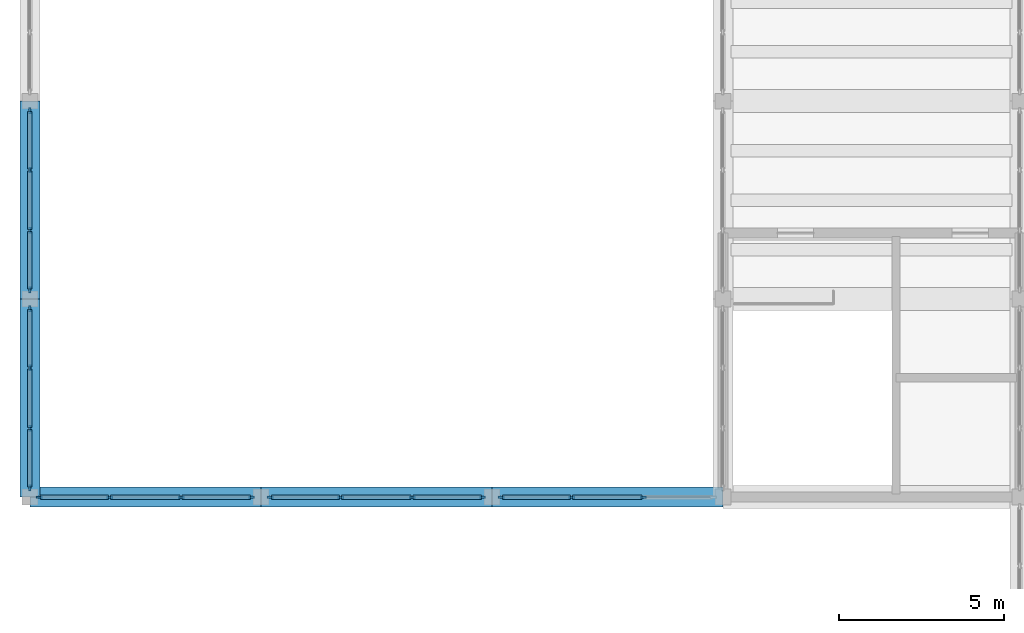
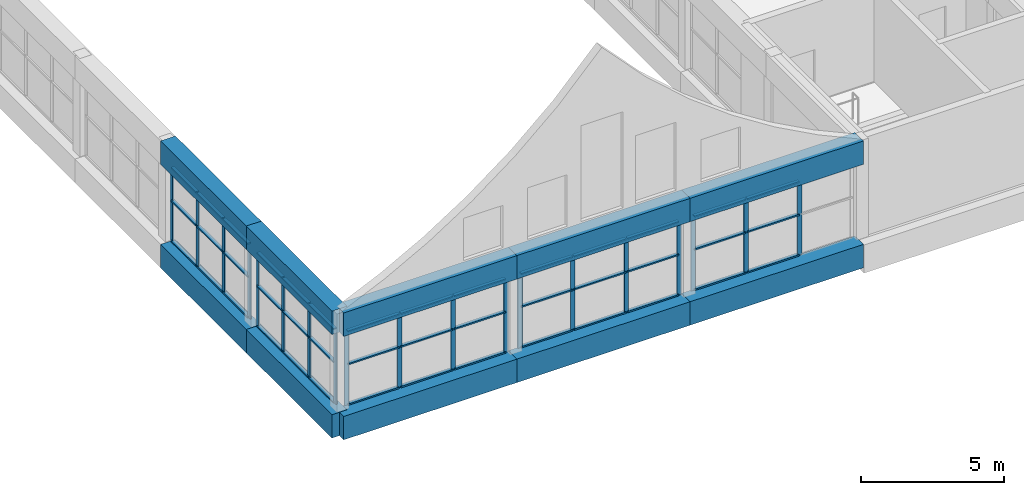
# One storey, part 8 of 70: 61 members, 10 beams, 5 elements without a shape of their own.
"""IFC4 building model written with IfcOpenShell, lengths in metres."""

from ifc_helpers import new_model, si_unit, direction, frame, origin, origin_2d, place, context, subcontext, project, spatial, rectangle, extrude, material, layer, layer_set, material_profile, profile_set, type_object, element, aggregate, save


model = new_model("IFC4")

# Units and contexts
model_context = context("Model", 3, precision=1e-05, world=origin(), true_north=direction((0.0, 1.0)))
body_context = subcontext(model_context, "Body", "Model", "MODEL_VIEW")
ifc_project = project(units=[si_unit("LENGTHUNIT", "METRE"), si_unit("AREAUNIT", "SQUARE_METRE"), si_unit("VOLUMEUNIT", "CUBIC_METRE"), si_unit("PLANEANGLEUNIT", "RADIAN"), si_unit("MASSUNIT", "GRAM", prefix="KILO")], contexts=[model_context])

# Site, building, storey
site_placement = place(None, origin())
site = spatial("IfcSite", under=ifc_project, at=site_placement, CompositionType="ELEMENT")
building_placement = place(site_placement, origin())
building = spatial("IfcBuilding", under=site, at=building_placement, Name="Solvane Community Centre", CompositionType="ELEMENT")
storey_placement = place(building_placement, frame((0.0, 0.0, 9.60009765625)))
storey = spatial("IfcBuildingStorey", under=building, at=storey_placement, Name="L02", CompositionType="ELEMENT", Elevation=9.60009765625)

# Curtain wall, members
ifc_material_1 = material(Name="Anodised bronze aluminium AW-6063 T6", Category="aluminium")
ifc_layer_1 = layer(ifc_material_1, 0.179931640625)
ifc_layer_set_1 = layer_set([ifc_layer_1], Name="Anodised bronze aluminium AW-6063 T6")
curtain_wall_type_1 = type_object("IfcCurtainWallType", Name="Hall Translucent Upper Curtain Wall [55x32dm]", PredefinedType="NOTDEFINED", material=ifc_layer_set_1)
curtain_wall_1_placement = place(storey_placement, origin())
curtain_wall_1 = element("IfcCurtainWall", 1, at=curtain_wall_1_placement, inside=storey, type_object=curtain_wall_type_1, Name="Curtain Wall CW-L02-60_537-170", PredefinedType="NOTDEFINED")
ifc_material_profile_1 = material_profile(ifc_material_1, rectangle(XDim=0.06005859375, YDim=0.179931640625, at=origin_2d()), Name="CW-M 60x180")
ifc_profile_set_1 = profile_set([ifc_material_profile_1], Name="Anodised bronze aluminium AW-6063 T6")
member_type_1 = type_object("IfcMemberType", Name="Hall Mullion 60x180", PredefinedType="MULLION", material=ifc_profile_set_1)
member_1_placement = place(storey_placement, frame((6.0, 53.715087890625, 0.0), z_axis=(0.0, 0.0, 1.0), x_axis=(1.0, 0.0, 0.0)))
member_1 = element("IfcMember", 2, at=member_1_placement, type_object=member_type_1, Name="CW01-55x32 mullion 1", PredefinedType="MULLION", context=body_context, shape_type="SweptSolid", body=[
    extrude(rectangle(XDim=0.06005859375, YDim=0.179931640625, at=origin_2d()), origin(), (0.0, 0.0, 1.0), 3.184814453125),
])
member_2_placement = place(storey_placement, frame((6.0, 51.9150390625, 0.0), z_axis=(0.0, 0.0, 1.0), x_axis=(1.0, 0.0, 0.0)))
member_2 = element("IfcMember", 3, at=member_2_placement, type_object=member_type_1, Name="CW01-55x32 mullion 2", PredefinedType="MULLION", context=body_context, shape_type="SweptSolid", body=[
    extrude(rectangle(XDim=0.06005859375, YDim=0.179931640625, at=origin_2d()), origin(), (0.0, 0.0, 1.0), 3.184814453125),
])
member_3_placement = place(storey_placement, frame((6.0, 50.0849609375, 0.0), z_axis=(0.0, 0.0, 1.0), x_axis=(1.0, 0.0, 0.0)))
member_3 = element("IfcMember", 4, at=member_3_placement, type_object=member_type_1, Name="CW01-55x32 mullion 3", PredefinedType="MULLION", context=body_context, shape_type="SweptSolid", body=[
    extrude(rectangle(XDim=0.06005859375, YDim=0.179931640625, at=origin_2d()), origin(), (0.0, 0.0, 1.0), 3.184814453125),
])
member_4_placement = place(storey_placement, frame((6.0, 48.284912109375, 0.0), z_axis=(0.0, 0.0, 1.0), x_axis=(1.0, 0.0, 0.0)))
member_4 = element("IfcMember", 5, at=member_4_placement, type_object=member_type_1, Name="CW01-55x32 mullion 4", PredefinedType="MULLION", context=body_context, shape_type="SweptSolid", body=[
    extrude(rectangle(XDim=0.06005859375, YDim=0.179931640625, at=origin_2d()), origin(), (0.0, 0.0, 1.0), 3.184814453125),
])

curtain_wall_2_placement = place(storey_placement, origin())
curtain_wall_2 = element("IfcCurtainWall", 6, at=curtain_wall_2_placement, inside=storey, type_object=curtain_wall_type_1, Name="Curtain Wall CW-L02-60_477-171", PredefinedType="NOTDEFINED")
member_5_placement = place(storey_placement, frame((6.0, 47.715087890625, 0.0), z_axis=(0.0, 0.0, 1.0), x_axis=(1.0, 0.0, 0.0)))
member_5 = element("IfcMember", 7, at=member_5_placement, type_object=member_type_1, Name="CW01-55x32 mullion 1", PredefinedType="MULLION", context=body_context, shape_type="SweptSolid", body=[
    extrude(rectangle(XDim=0.06005859375, YDim=0.179931640625, at=origin_2d()), origin(), (0.0, 0.0, 1.0), 3.184814453125),
])
member_6_placement = place(storey_placement, frame((6.0, 45.9150390625, 0.0), z_axis=(0.0, 0.0, 1.0), x_axis=(1.0, 0.0, 0.0)))
member_6 = element("IfcMember", 8, at=member_6_placement, type_object=member_type_1, Name="CW01-55x32 mullion 2", PredefinedType="MULLION", context=body_context, shape_type="SweptSolid", body=[
    extrude(rectangle(XDim=0.06005859375, YDim=0.179931640625, at=origin_2d()), origin(), (0.0, 0.0, 1.0), 3.184814453125),
])
member_7_placement = place(storey_placement, frame((6.0, 44.0849609375, 0.0), z_axis=(0.0, 0.0, 1.0), x_axis=(1.0, 0.0, 0.0)))
member_7 = element("IfcMember", 9, at=member_7_placement, type_object=member_type_1, Name="CW01-55x32 mullion 3", PredefinedType="MULLION", context=body_context, shape_type="SweptSolid", body=[
    extrude(rectangle(XDim=0.06005859375, YDim=0.179931640625, at=origin_2d()), origin(), (0.0, 0.0, 1.0), 3.184814453125),
])
member_8_placement = place(storey_placement, frame((6.0, 42.284912109375, 0.0), z_axis=(0.0, 0.0, 1.0), x_axis=(1.0, 0.0, 0.0)))
member_8 = element("IfcMember", 10, at=member_8_placement, type_object=member_type_1, Name="CW01-55x32 mullion 4", PredefinedType="MULLION", context=body_context, shape_type="SweptSolid", body=[
    extrude(rectangle(XDim=0.06005859375, YDim=0.179931640625, at=origin_2d()), origin(), (0.0, 0.0, 1.0), 3.184814453125),
])

ifc_layer_2 = layer(ifc_material_1, 0.179931640625)
ifc_layer_set_2 = layer_set([ifc_layer_2], Name="Anodised bronze aluminium AW-6063 T6")
curtain_wall_type_2 = type_object("IfcCurtainWallType", Name="Hall Translucent Upper Curtain Wall [65x32dm]", PredefinedType="NOTDEFINED", material=ifc_layer_set_2)
curtain_wall_3_placement = place(storey_placement, origin())
curtain_wall_3 = element("IfcCurtainWall", 11, at=curtain_wall_3_placement, inside=storey, type_object=curtain_wall_type_2, Name="Curtain Wall CW-L02-267_420-178", PredefinedType="NOTDEFINED")
member_9_placement = place(storey_placement, frame((24.581787109375, 42.0, 0.0), z_axis=(0.0, 0.0, 1.0), x_axis=(0.0, -1.0, 0.0)))
member_9 = element("IfcMember", 12, at=member_9_placement, type_object=member_type_1, Name="CW01-65x32 mullion 2", PredefinedType="MULLION", context=body_context, shape_type="SweptSolid", body=[
    extrude(rectangle(XDim=0.06005859375, YDim=0.179931640625, at=origin_2d()), origin(), (0.0, 0.0, 1.0), 3.184814453125),
])
member_10_placement = place(storey_placement, frame((22.418212890625, 42.0, 0.0), z_axis=(0.0, 0.0, 1.0), x_axis=(0.0, -1.0, 0.0)))
member_10 = element("IfcMember", 13, at=member_10_placement, type_object=member_type_1, Name="CW01-65x32 mullion 3", PredefinedType="MULLION", context=body_context, shape_type="SweptSolid", body=[
    extrude(rectangle(XDim=0.06005859375, YDim=0.179931640625, at=origin_2d()), origin(), (0.0, 0.0, 1.0), 3.184814453125),
])
member_11_placement = place(storey_placement, frame((20.284912109375, 42.0, 0.0), z_axis=(0.0, 0.0, 1.0), x_axis=(0.0, -1.0, 0.0)))
member_11 = element("IfcMember", 14, at=member_11_placement, type_object=member_type_1, Name="CW01-65x32 mullion 4", PredefinedType="MULLION", context=body_context, shape_type="SweptSolid", body=[
    extrude(rectangle(XDim=0.06005859375, YDim=0.179931640625, at=origin_2d()), origin(), (0.0, 0.0, 1.0), 3.184814453125),
])

curtain_wall_4_placement = place(storey_placement, origin())
curtain_wall_4 = element("IfcCurtainWall", 15, at=curtain_wall_4_placement, inside=storey, type_object=curtain_wall_type_2, Name="Curtain Wall CW-L02-197_420-179", PredefinedType="NOTDEFINED")
member_12_placement = place(storey_placement, frame((19.715087890625, 42.0, 0.0), z_axis=(0.0, 0.0, 1.0), x_axis=(0.0, -1.0, 0.0)))
member_12 = element("IfcMember", 16, at=member_12_placement, type_object=member_type_1, Name="CW01-65x32 mullion 1", PredefinedType="MULLION", context=body_context, shape_type="SweptSolid", body=[
    extrude(rectangle(XDim=0.06005859375, YDim=0.179931640625, at=origin_2d()), origin(), (0.0, 0.0, 1.0), 3.184814453125),
])
member_13_placement = place(storey_placement, frame((17.581787109375, 42.0, 0.0), z_axis=(0.0, 0.0, 1.0), x_axis=(0.0, -1.0, 0.0)))
member_13 = element("IfcMember", 17, at=member_13_placement, type_object=member_type_1, Name="CW01-65x32 mullion 2", PredefinedType="MULLION", context=body_context, shape_type="SweptSolid", body=[
    extrude(rectangle(XDim=0.06005859375, YDim=0.179931640625, at=origin_2d()), origin(), (0.0, 0.0, 1.0), 3.184814453125),
])
member_14_placement = place(storey_placement, frame((15.418212890625, 42.0, 0.0), z_axis=(0.0, 0.0, 1.0), x_axis=(0.0, -1.0, 0.0)))
member_14 = element("IfcMember", 18, at=member_14_placement, type_object=member_type_1, Name="CW01-65x32 mullion 3", PredefinedType="MULLION", context=body_context, shape_type="SweptSolid", body=[
    extrude(rectangle(XDim=0.06005859375, YDim=0.179931640625, at=origin_2d()), origin(), (0.0, 0.0, 1.0), 3.184814453125),
])
member_15_placement = place(storey_placement, frame((13.284912109375, 42.0, 0.0), z_axis=(0.0, 0.0, 1.0), x_axis=(0.0, -1.0, 0.0)))
member_15 = element("IfcMember", 19, at=member_15_placement, type_object=member_type_1, Name="CW01-65x32 mullion 4", PredefinedType="MULLION", context=body_context, shape_type="SweptSolid", body=[
    extrude(rectangle(XDim=0.06005859375, YDim=0.179931640625, at=origin_2d()), origin(), (0.0, 0.0, 1.0), 3.184814453125),
])

curtain_wall_5_placement = place(storey_placement, origin())
curtain_wall_5 = element("IfcCurtainWall", 20, at=curtain_wall_5_placement, inside=storey, type_object=curtain_wall_type_2, Name="Curtain Wall CW-L02-127_420-180", PredefinedType="NOTDEFINED")
member_16_placement = place(storey_placement, frame((12.715087890625, 42.0, 0.0), z_axis=(0.0, 0.0, 1.0), x_axis=(0.0, -1.0, 0.0)))
member_16 = element("IfcMember", 21, at=member_16_placement, type_object=member_type_1, Name="CW01-65x32 mullion 1", PredefinedType="MULLION", context=body_context, shape_type="SweptSolid", body=[
    extrude(rectangle(XDim=0.06005859375, YDim=0.179931640625, at=origin_2d()), origin(), (0.0, 0.0, 1.0), 3.184814453125),
])
member_17_placement = place(storey_placement, frame((10.581787109375, 42.0, 0.0), z_axis=(0.0, 0.0, 1.0), x_axis=(0.0, -1.0, 0.0)))
member_17 = element("IfcMember", 22, at=member_17_placement, type_object=member_type_1, Name="CW01-65x32 mullion 2", PredefinedType="MULLION", context=body_context, shape_type="SweptSolid", body=[
    extrude(rectangle(XDim=0.06005859375, YDim=0.179931640625, at=origin_2d()), origin(), (0.0, 0.0, 1.0), 3.184814453125),
])
member_18_placement = place(storey_placement, frame((8.418212890625, 42.0, 0.0), z_axis=(0.0, 0.0, 1.0), x_axis=(0.0, -1.0, 0.0)))
member_18 = element("IfcMember", 23, at=member_18_placement, type_object=member_type_1, Name="CW01-65x32 mullion 3", PredefinedType="MULLION", context=body_context, shape_type="SweptSolid", body=[
    extrude(rectangle(XDim=0.06005859375, YDim=0.179931640625, at=origin_2d()), origin(), (0.0, 0.0, 1.0), 3.184814453125),
])
member_19_placement = place(storey_placement, frame((6.284912109375, 42.0, 0.0), z_axis=(0.0, 0.0, 1.0), x_axis=(0.0, -1.0, 0.0)))
member_19 = element("IfcMember", 24, at=member_19_placement, type_object=member_type_1, Name="CW01-65x32 mullion 4", PredefinedType="MULLION", context=body_context, shape_type="SweptSolid", body=[
    extrude(rectangle(XDim=0.06005859375, YDim=0.179931640625, at=origin_2d()), origin(), (0.0, 0.0, 1.0), 3.184814453125),
])

# Member
ifc_material_profile_2 = material_profile(ifc_material_1, rectangle(XDim=0.139892578125, YDim=0.06005859375, at=origin_2d()), Name="CW-T 60x140")
ifc_profile_set_2 = profile_set([ifc_material_profile_2], Name="Anodised bronze aluminium AW-6063 T6")
member_type_2 = type_object("IfcMemberType", Name="Hall Transom 60x140", PredefinedType="USERDEFINED", material=ifc_profile_set_2)
member_20_placement = place(storey_placement, frame((6.0, 53.68505859375, 0.02978515625), z_axis=(0.0, -1.0, 0.0), x_axis=(1.0, 0.0, 0.0)))
member_20 = element("IfcMember", 25, at=member_20_placement, type_object=member_type_2, Name="CW01-55x32 transom 1.1", ObjectType="TRANSOM", PredefinedType="USERDEFINED", context=body_context, shape_type="SweptSolid", body=[
    extrude(rectangle(XDim=0.139892578125, YDim=0.06005859375, at=origin_2d()), origin(), (0.0, 0.0, 1.0), 1.739990234375),
])

member_21_placement = place(storey_placement, frame((6.0, 53.68505859375, 1.751953125), z_axis=(0.0, -1.0, 0.0), x_axis=(1.0, 0.0, 0.0)))
member_21 = element("IfcMember", 26, at=member_21_placement, type_object=member_type_2, Name="CW01-55x32 transom 1.2", ObjectType="TRANSOM", PredefinedType="USERDEFINED", context=body_context, shape_type="SweptSolid", body=[
    extrude(rectangle(XDim=0.139892578125, YDim=0.06005859375, at=origin_2d()), origin(), (0.0, 0.0, 1.0), 1.739990234375),
])

member_22_placement = place(storey_placement, frame((6.0, 53.68505859375, 3.15478515625), z_axis=(0.0, -1.0, 0.0), x_axis=(1.0, 0.0, 0.0)))
member_22 = element("IfcMember", 27, at=member_22_placement, type_object=member_type_2, Name="CW01-55x32 transom 1.3", ObjectType="TRANSOM", PredefinedType="USERDEFINED", context=body_context, shape_type="SweptSolid", body=[
    extrude(rectangle(XDim=0.139892578125, YDim=0.06005859375, at=origin_2d()), origin(), (0.0, 0.0, 1.0), 1.739990234375),
])

member_23_placement = place(storey_placement, frame((6.0, 51.885009765625, 0.02978515625), z_axis=(0.0, -1.0, 0.0), x_axis=(1.0, 0.0, 0.0)))
member_23 = element("IfcMember", 28, at=member_23_placement, type_object=member_type_2, Name="CW01-55x32 transom 2.1", ObjectType="TRANSOM", PredefinedType="USERDEFINED", context=body_context, shape_type="SweptSolid", body=[
    extrude(rectangle(XDim=0.139892578125, YDim=0.06005859375, at=origin_2d()), origin(), (0.0, 0.0, 1.0), 1.77001953125),
])

member_24_placement = place(storey_placement, frame((6.0, 51.885009765625, 1.751953125), z_axis=(0.0, -1.0, 0.0), x_axis=(1.0, 0.0, 0.0)))
member_24 = element("IfcMember", 29, at=member_24_placement, type_object=member_type_2, Name="CW01-55x32 transom 2.2", ObjectType="TRANSOM", PredefinedType="USERDEFINED", context=body_context, shape_type="SweptSolid", body=[
    extrude(rectangle(XDim=0.139892578125, YDim=0.06005859375, at=origin_2d()), origin(), (0.0, 0.0, 1.0), 1.77001953125),
])

member_25_placement = place(storey_placement, frame((6.0, 51.885009765625, 3.15478515625), z_axis=(0.0, -1.0, 0.0), x_axis=(1.0, 0.0, 0.0)))
member_25 = element("IfcMember", 30, at=member_25_placement, type_object=member_type_2, Name="CW01-55x32 transom 2.3", ObjectType="TRANSOM", PredefinedType="USERDEFINED", context=body_context, shape_type="SweptSolid", body=[
    extrude(rectangle(XDim=0.139892578125, YDim=0.06005859375, at=origin_2d()), origin(), (0.0, 0.0, 1.0), 1.77001953125),
])

member_26_placement = place(storey_placement, frame((6.0, 50.054931640625, 0.02978515625), z_axis=(0.0, -1.0, 0.0), x_axis=(1.0, 0.0, 0.0)))
member_26 = element("IfcMember", 31, at=member_26_placement, type_object=member_type_2, Name="CW01-55x32 transom 3.1", ObjectType="TRANSOM", PredefinedType="USERDEFINED", context=body_context, shape_type="SweptSolid", body=[
    extrude(rectangle(XDim=0.139892578125, YDim=0.06005859375, at=origin_2d()), origin(), (0.0, 0.0, 1.0), 1.739990234375),
])

member_27_placement = place(storey_placement, frame((6.0, 50.054931640625, 1.751953125), z_axis=(0.0, -1.0, 0.0), x_axis=(1.0, 0.0, 0.0)))
member_27 = element("IfcMember", 32, at=member_27_placement, type_object=member_type_2, Name="CW01-55x32 transom 3.2", ObjectType="TRANSOM", PredefinedType="USERDEFINED", context=body_context, shape_type="SweptSolid", body=[
    extrude(rectangle(XDim=0.139892578125, YDim=0.06005859375, at=origin_2d()), origin(), (0.0, 0.0, 1.0), 1.739990234375),
])

member_28_placement = place(storey_placement, frame((6.0, 50.054931640625, 3.15478515625), z_axis=(0.0, -1.0, 0.0), x_axis=(1.0, 0.0, 0.0)))
member_28 = element("IfcMember", 33, at=member_28_placement, type_object=member_type_2, Name="CW01-55x32 transom 3.3", ObjectType="TRANSOM", PredefinedType="USERDEFINED", context=body_context, shape_type="SweptSolid", body=[
    extrude(rectangle(XDim=0.139892578125, YDim=0.06005859375, at=origin_2d()), origin(), (0.0, 0.0, 1.0), 1.739990234375),
])

aggregate(curtain_wall_1, [member_1, member_2, member_3, member_4, member_20, member_21, member_22, member_23, member_24, member_25, member_26, member_27, member_28])

member_29_placement = place(storey_placement, frame((6.0, 47.68505859375, 0.02978515625), z_axis=(0.0, -1.0, 0.0), x_axis=(1.0, 0.0, 0.0)))
member_29 = element("IfcMember", 34, at=member_29_placement, type_object=member_type_2, Name="CW01-55x32 transom 1.1", ObjectType="TRANSOM", PredefinedType="USERDEFINED", context=body_context, shape_type="SweptSolid", body=[
    extrude(rectangle(XDim=0.139892578125, YDim=0.06005859375, at=origin_2d()), origin(), (0.0, 0.0, 1.0), 1.739990234375),
])

member_30_placement = place(storey_placement, frame((6.0, 47.68505859375, 1.751953125), z_axis=(0.0, -1.0, 0.0), x_axis=(1.0, 0.0, 0.0)))
member_30 = element("IfcMember", 35, at=member_30_placement, type_object=member_type_2, Name="CW01-55x32 transom 1.2", ObjectType="TRANSOM", PredefinedType="USERDEFINED", context=body_context, shape_type="SweptSolid", body=[
    extrude(rectangle(XDim=0.139892578125, YDim=0.06005859375, at=origin_2d()), origin(), (0.0, 0.0, 1.0), 1.739990234375),
])

member_31_placement = place(storey_placement, frame((6.0, 47.68505859375, 3.15478515625), z_axis=(0.0, -1.0, 0.0), x_axis=(1.0, 0.0, 0.0)))
member_31 = element("IfcMember", 36, at=member_31_placement, type_object=member_type_2, Name="CW01-55x32 transom 1.3", ObjectType="TRANSOM", PredefinedType="USERDEFINED", context=body_context, shape_type="SweptSolid", body=[
    extrude(rectangle(XDim=0.139892578125, YDim=0.06005859375, at=origin_2d()), origin(), (0.0, 0.0, 1.0), 1.739990234375),
])

member_32_placement = place(storey_placement, frame((6.0, 45.885009765625, 0.02978515625), z_axis=(0.0, -1.0, 0.0), x_axis=(1.0, 0.0, 0.0)))
member_32 = element("IfcMember", 37, at=member_32_placement, type_object=member_type_2, Name="CW01-55x32 transom 2.1", ObjectType="TRANSOM", PredefinedType="USERDEFINED", context=body_context, shape_type="SweptSolid", body=[
    extrude(rectangle(XDim=0.139892578125, YDim=0.06005859375, at=origin_2d()), origin(), (0.0, 0.0, 1.0), 1.77001953125),
])

member_33_placement = place(storey_placement, frame((6.0, 45.885009765625, 1.751953125), z_axis=(0.0, -1.0, 0.0), x_axis=(1.0, 0.0, 0.0)))
member_33 = element("IfcMember", 38, at=member_33_placement, type_object=member_type_2, Name="CW01-55x32 transom 2.2", ObjectType="TRANSOM", PredefinedType="USERDEFINED", context=body_context, shape_type="SweptSolid", body=[
    extrude(rectangle(XDim=0.139892578125, YDim=0.06005859375, at=origin_2d()), origin(), (0.0, 0.0, 1.0), 1.77001953125),
])

member_34_placement = place(storey_placement, frame((6.0, 45.885009765625, 3.15478515625), z_axis=(0.0, -1.0, 0.0), x_axis=(1.0, 0.0, 0.0)))
member_34 = element("IfcMember", 39, at=member_34_placement, type_object=member_type_2, Name="CW01-55x32 transom 2.3", ObjectType="TRANSOM", PredefinedType="USERDEFINED", context=body_context, shape_type="SweptSolid", body=[
    extrude(rectangle(XDim=0.139892578125, YDim=0.06005859375, at=origin_2d()), origin(), (0.0, 0.0, 1.0), 1.77001953125),
])

member_35_placement = place(storey_placement, frame((6.0, 44.054931640625, 0.02978515625), z_axis=(0.0, -1.0, 0.0), x_axis=(1.0, 0.0, 0.0)))
member_35 = element("IfcMember", 40, at=member_35_placement, type_object=member_type_2, Name="CW01-55x32 transom 3.1", ObjectType="TRANSOM", PredefinedType="USERDEFINED", context=body_context, shape_type="SweptSolid", body=[
    extrude(rectangle(XDim=0.139892578125, YDim=0.06005859375, at=origin_2d()), origin(), (0.0, 0.0, 1.0), 1.739990234375),
])

member_36_placement = place(storey_placement, frame((6.0, 44.054931640625, 1.751953125), z_axis=(0.0, -1.0, 0.0), x_axis=(1.0, 0.0, 0.0)))
member_36 = element("IfcMember", 41, at=member_36_placement, type_object=member_type_2, Name="CW01-55x32 transom 3.2", ObjectType="TRANSOM", PredefinedType="USERDEFINED", context=body_context, shape_type="SweptSolid", body=[
    extrude(rectangle(XDim=0.139892578125, YDim=0.06005859375, at=origin_2d()), origin(), (0.0, 0.0, 1.0), 1.739990234375),
])

member_37_placement = place(storey_placement, frame((6.0, 44.054931640625, 3.15478515625), z_axis=(0.0, -1.0, 0.0), x_axis=(1.0, 0.0, 0.0)))
member_37 = element("IfcMember", 42, at=member_37_placement, type_object=member_type_2, Name="CW01-55x32 transom 3.3", ObjectType="TRANSOM", PredefinedType="USERDEFINED", context=body_context, shape_type="SweptSolid", body=[
    extrude(rectangle(XDim=0.139892578125, YDim=0.06005859375, at=origin_2d()), origin(), (0.0, 0.0, 1.0), 1.739990234375),
])

aggregate(curtain_wall_2, [member_5, member_6, member_7, member_8, member_29, member_30, member_31, member_32, member_33, member_34, member_35, member_36, member_37])

member_38_placement = place(storey_placement, frame((24.5517578125, 42.0, 0.02978515625), z_axis=(-1.0, 0.0, 0.0), x_axis=(0.0, -1.0, 0.0)))
member_38 = element("IfcMember", 43, at=member_38_placement, type_object=member_type_2, Name="CW01-65x32 transom 2.1", ObjectType="TRANSOM", PredefinedType="USERDEFINED", context=body_context, shape_type="SweptSolid", body=[
    extrude(rectangle(XDim=0.139892578125, YDim=0.06005859375, at=origin_2d()), origin(), (0.0, 0.0, 1.0), 2.103515625),
])

member_39_placement = place(storey_placement, frame((24.5517578125, 42.0, 1.751953125), z_axis=(-1.0, 0.0, 0.0), x_axis=(0.0, -1.0, 0.0)))
member_39 = element("IfcMember", 44, at=member_39_placement, type_object=member_type_2, Name="CW01-65x32 transom 2.2", ObjectType="TRANSOM", PredefinedType="USERDEFINED", context=body_context, shape_type="SweptSolid", body=[
    extrude(rectangle(XDim=0.139892578125, YDim=0.06005859375, at=origin_2d()), origin(), (0.0, 0.0, 1.0), 2.103515625),
])

member_40_placement = place(storey_placement, frame((24.5517578125, 42.0, 3.15478515625), z_axis=(-1.0, 0.0, 0.0), x_axis=(0.0, -1.0, 0.0)))
member_40 = element("IfcMember", 45, at=member_40_placement, type_object=member_type_2, Name="CW01-65x32 transom 2.3", ObjectType="TRANSOM", PredefinedType="USERDEFINED", context=body_context, shape_type="SweptSolid", body=[
    extrude(rectangle(XDim=0.139892578125, YDim=0.06005859375, at=origin_2d()), origin(), (0.0, 0.0, 1.0), 2.103515625),
])

member_41_placement = place(storey_placement, frame((22.388427734375, 42.0, 0.02978515625), z_axis=(-1.0, 0.0, 0.0), x_axis=(0.0, -1.0, 0.0)))
member_41 = element("IfcMember", 46, at=member_41_placement, type_object=member_type_2, Name="CW01-65x32 transom 3.1", ObjectType="TRANSOM", PredefinedType="USERDEFINED", context=body_context, shape_type="SweptSolid", body=[
    extrude(rectangle(XDim=0.139892578125, YDim=0.06005859375, at=origin_2d()), origin(), (0.0, 0.0, 1.0), 2.073486328125),
])

member_42_placement = place(storey_placement, frame((22.388427734375, 42.0, 1.751953125), z_axis=(-1.0, 0.0, 0.0), x_axis=(0.0, -1.0, 0.0)))
member_42 = element("IfcMember", 47, at=member_42_placement, type_object=member_type_2, Name="CW01-65x32 transom 3.2", ObjectType="TRANSOM", PredefinedType="USERDEFINED", context=body_context, shape_type="SweptSolid", body=[
    extrude(rectangle(XDim=0.139892578125, YDim=0.06005859375, at=origin_2d()), origin(), (0.0, 0.0, 1.0), 2.073486328125),
])

member_43_placement = place(storey_placement, frame((22.388427734375, 42.0, 3.15478515625), z_axis=(-1.0, 0.0, 0.0), x_axis=(0.0, -1.0, 0.0)))
member_43 = element("IfcMember", 48, at=member_43_placement, type_object=member_type_2, Name="CW01-65x32 transom 3.3", ObjectType="TRANSOM", PredefinedType="USERDEFINED", context=body_context, shape_type="SweptSolid", body=[
    extrude(rectangle(XDim=0.139892578125, YDim=0.06005859375, at=origin_2d()), origin(), (0.0, 0.0, 1.0), 2.073486328125),
])

aggregate(curtain_wall_3, [member_9, member_10, member_11, member_38, member_39, member_40, member_41, member_42, member_43])

member_44_placement = place(storey_placement, frame((19.68505859375, 42.0, 0.02978515625), z_axis=(-1.0, 0.0, 0.0), x_axis=(0.0, -1.0, 0.0)))
member_44 = element("IfcMember", 49, at=member_44_placement, type_object=member_type_2, Name="CW01-65x32 transom 1.1", ObjectType="TRANSOM", PredefinedType="USERDEFINED", context=body_context, shape_type="SweptSolid", body=[
    extrude(rectangle(XDim=0.139892578125, YDim=0.06005859375, at=origin_2d()), origin(), (0.0, 0.0, 1.0), 2.073486328125),
])

member_45_placement = place(storey_placement, frame((19.68505859375, 42.0, 1.751953125), z_axis=(-1.0, 0.0, 0.0), x_axis=(0.0, -1.0, 0.0)))
member_45 = element("IfcMember", 50, at=member_45_placement, type_object=member_type_2, Name="CW01-65x32 transom 1.2", ObjectType="TRANSOM", PredefinedType="USERDEFINED", context=body_context, shape_type="SweptSolid", body=[
    extrude(rectangle(XDim=0.139892578125, YDim=0.06005859375, at=origin_2d()), origin(), (0.0, 0.0, 1.0), 2.073486328125),
])

member_46_placement = place(storey_placement, frame((19.68505859375, 42.0, 3.15478515625), z_axis=(-1.0, 0.0, 0.0), x_axis=(0.0, -1.0, 0.0)))
member_46 = element("IfcMember", 51, at=member_46_placement, type_object=member_type_2, Name="CW01-65x32 transom 1.3", ObjectType="TRANSOM", PredefinedType="USERDEFINED", context=body_context, shape_type="SweptSolid", body=[
    extrude(rectangle(XDim=0.139892578125, YDim=0.06005859375, at=origin_2d()), origin(), (0.0, 0.0, 1.0), 2.073486328125),
])

member_47_placement = place(storey_placement, frame((17.5517578125, 42.0, 0.02978515625), z_axis=(-1.0, 0.0, 0.0), x_axis=(0.0, -1.0, 0.0)))
member_47 = element("IfcMember", 52, at=member_47_placement, type_object=member_type_2, Name="CW01-65x32 transom 2.1", ObjectType="TRANSOM", PredefinedType="USERDEFINED", context=body_context, shape_type="SweptSolid", body=[
    extrude(rectangle(XDim=0.139892578125, YDim=0.06005859375, at=origin_2d()), origin(), (0.0, 0.0, 1.0), 2.103515625),
])

member_48_placement = place(storey_placement, frame((17.5517578125, 42.0, 1.751953125), z_axis=(-1.0, 0.0, 0.0), x_axis=(0.0, -1.0, 0.0)))
member_48 = element("IfcMember", 53, at=member_48_placement, type_object=member_type_2, Name="CW01-65x32 transom 2.2", ObjectType="TRANSOM", PredefinedType="USERDEFINED", context=body_context, shape_type="SweptSolid", body=[
    extrude(rectangle(XDim=0.139892578125, YDim=0.06005859375, at=origin_2d()), origin(), (0.0, 0.0, 1.0), 2.103515625),
])

member_49_placement = place(storey_placement, frame((17.5517578125, 42.0, 3.15478515625), z_axis=(-1.0, 0.0, 0.0), x_axis=(0.0, -1.0, 0.0)))
member_49 = element("IfcMember", 54, at=member_49_placement, type_object=member_type_2, Name="CW01-65x32 transom 2.3", ObjectType="TRANSOM", PredefinedType="USERDEFINED", context=body_context, shape_type="SweptSolid", body=[
    extrude(rectangle(XDim=0.139892578125, YDim=0.06005859375, at=origin_2d()), origin(), (0.0, 0.0, 1.0), 2.103515625),
])

member_50_placement = place(storey_placement, frame((15.388427734375, 42.0, 0.02978515625), z_axis=(-1.0, 0.0, 0.0), x_axis=(0.0, -1.0, 0.0)))
member_50 = element("IfcMember", 55, at=member_50_placement, type_object=member_type_2, Name="CW01-65x32 transom 3.1", ObjectType="TRANSOM", PredefinedType="USERDEFINED", context=body_context, shape_type="SweptSolid", body=[
    extrude(rectangle(XDim=0.139892578125, YDim=0.06005859375, at=origin_2d()), origin(), (0.0, 0.0, 1.0), 2.073486328125),
])

member_51_placement = place(storey_placement, frame((15.388427734375, 42.0, 1.751953125), z_axis=(-1.0, 0.0, 0.0), x_axis=(0.0, -1.0, 0.0)))
member_51 = element("IfcMember", 56, at=member_51_placement, type_object=member_type_2, Name="CW01-65x32 transom 3.2", ObjectType="TRANSOM", PredefinedType="USERDEFINED", context=body_context, shape_type="SweptSolid", body=[
    extrude(rectangle(XDim=0.139892578125, YDim=0.06005859375, at=origin_2d()), origin(), (0.0, 0.0, 1.0), 2.073486328125),
])

member_52_placement = place(storey_placement, frame((15.388427734375, 42.0, 3.15478515625), z_axis=(-1.0, 0.0, 0.0), x_axis=(0.0, -1.0, 0.0)))
member_52 = element("IfcMember", 57, at=member_52_placement, type_object=member_type_2, Name="CW01-65x32 transom 3.3", ObjectType="TRANSOM", PredefinedType="USERDEFINED", context=body_context, shape_type="SweptSolid", body=[
    extrude(rectangle(XDim=0.139892578125, YDim=0.06005859375, at=origin_2d()), origin(), (0.0, 0.0, 1.0), 2.073486328125),
])

aggregate(curtain_wall_4, [member_12, member_13, member_14, member_15, member_44, member_45, member_46, member_47, member_48, member_49, member_50, member_51, member_52])

member_53_placement = place(storey_placement, frame((12.68505859375, 42.0, 0.02978515625), z_axis=(-1.0, 0.0, 0.0), x_axis=(0.0, -1.0, 0.0)))
member_53 = element("IfcMember", 58, at=member_53_placement, type_object=member_type_2, Name="CW01-65x32 transom 1.1", ObjectType="TRANSOM", PredefinedType="USERDEFINED", context=body_context, shape_type="SweptSolid", body=[
    extrude(rectangle(XDim=0.139892578125, YDim=0.06005859375, at=origin_2d()), origin(), (0.0, 0.0, 1.0), 2.073486328125),
])

member_54_placement = place(storey_placement, frame((12.68505859375, 42.0, 1.751953125), z_axis=(-1.0, 0.0, 0.0), x_axis=(0.0, -1.0, 0.0)))
member_54 = element("IfcMember", 59, at=member_54_placement, type_object=member_type_2, Name="CW01-65x32 transom 1.2", ObjectType="TRANSOM", PredefinedType="USERDEFINED", context=body_context, shape_type="SweptSolid", body=[
    extrude(rectangle(XDim=0.139892578125, YDim=0.06005859375, at=origin_2d()), origin(), (0.0, 0.0, 1.0), 2.073486328125),
])

member_55_placement = place(storey_placement, frame((12.68505859375, 42.0, 3.15478515625), z_axis=(-1.0, 0.0, 0.0), x_axis=(0.0, -1.0, 0.0)))
member_55 = element("IfcMember", 60, at=member_55_placement, type_object=member_type_2, Name="CW01-65x32 transom 1.3", ObjectType="TRANSOM", PredefinedType="USERDEFINED", context=body_context, shape_type="SweptSolid", body=[
    extrude(rectangle(XDim=0.139892578125, YDim=0.06005859375, at=origin_2d()), origin(), (0.0, 0.0, 1.0), 2.073486328125),
])

member_56_placement = place(storey_placement, frame((10.5517578125, 42.0, 0.02978515625), z_axis=(-1.0, 0.0, 0.0), x_axis=(0.0, -1.0, 0.0)))
member_56 = element("IfcMember", 61, at=member_56_placement, type_object=member_type_2, Name="CW01-65x32 transom 2.1", ObjectType="TRANSOM", PredefinedType="USERDEFINED", context=body_context, shape_type="SweptSolid", body=[
    extrude(rectangle(XDim=0.139892578125, YDim=0.06005859375, at=origin_2d()), origin(), (0.0, 0.0, 1.0), 2.103515625),
])

member_57_placement = place(storey_placement, frame((10.5517578125, 42.0, 1.751953125), z_axis=(-1.0, 0.0, 0.0), x_axis=(0.0, -1.0, 0.0)))
member_57 = element("IfcMember", 62, at=member_57_placement, type_object=member_type_2, Name="CW01-65x32 transom 2.2", ObjectType="TRANSOM", PredefinedType="USERDEFINED", context=body_context, shape_type="SweptSolid", body=[
    extrude(rectangle(XDim=0.139892578125, YDim=0.06005859375, at=origin_2d()), origin(), (0.0, 0.0, 1.0), 2.103515625),
])

member_58_placement = place(storey_placement, frame((10.5517578125, 42.0, 3.15478515625), z_axis=(-1.0, 0.0, 0.0), x_axis=(0.0, -1.0, 0.0)))
member_58 = element("IfcMember", 63, at=member_58_placement, type_object=member_type_2, Name="CW01-65x32 transom 2.3", ObjectType="TRANSOM", PredefinedType="USERDEFINED", context=body_context, shape_type="SweptSolid", body=[
    extrude(rectangle(XDim=0.139892578125, YDim=0.06005859375, at=origin_2d()), origin(), (0.0, 0.0, 1.0), 2.103515625),
])

member_59_placement = place(storey_placement, frame((8.388427734375, 42.0, 0.02978515625), z_axis=(-1.0, 0.0, 0.0), x_axis=(0.0, -1.0, 0.0)))
member_59 = element("IfcMember", 64, at=member_59_placement, type_object=member_type_2, Name="CW01-65x32 transom 3.1", ObjectType="TRANSOM", PredefinedType="USERDEFINED", context=body_context, shape_type="SweptSolid", body=[
    extrude(rectangle(XDim=0.139892578125, YDim=0.06005859375, at=origin_2d()), origin(), (0.0, 0.0, 1.0), 2.073486328125),
])

member_60_placement = place(storey_placement, frame((8.388427734375, 42.0, 1.751953125), z_axis=(-1.0, 0.0, 0.0), x_axis=(0.0, -1.0, 0.0)))
member_60 = element("IfcMember", 65, at=member_60_placement, type_object=member_type_2, Name="CW01-65x32 transom 3.2", ObjectType="TRANSOM", PredefinedType="USERDEFINED", context=body_context, shape_type="SweptSolid", body=[
    extrude(rectangle(XDim=0.139892578125, YDim=0.06005859375, at=origin_2d()), origin(), (0.0, 0.0, 1.0), 2.073486328125),
])

member_61_placement = place(storey_placement, frame((8.388427734375, 42.0, 3.15478515625), z_axis=(-1.0, 0.0, 0.0), x_axis=(0.0, -1.0, 0.0)))
member_61 = element("IfcMember", 66, at=member_61_placement, type_object=member_type_2, Name="CW01-65x32 transom 3.3", ObjectType="TRANSOM", PredefinedType="USERDEFINED", context=body_context, shape_type="SweptSolid", body=[
    extrude(rectangle(XDim=0.139892578125, YDim=0.06005859375, at=origin_2d()), origin(), (0.0, 0.0, 1.0), 2.073486328125),
])

aggregate(curtain_wall_5, [member_16, member_17, member_18, member_19, member_53, member_54, member_55, member_56, member_57, member_58, member_59, member_60, member_61])

# Beams
ifc_material_2 = material(Name="Concrete C35/45", Category="concrete")
ifc_material_profile_3 = material_profile(ifc_material_2, rectangle(XDim=0.60009765625, YDim=1.0, at=origin_2d()), Name="RC 600x1000")
ifc_profile_set_3 = profile_set([ifc_material_profile_3], Name="Concrete C35/45")
beam_type = type_object("IfcBeamType", Name="RC Vault Thrust Ring Girder 600x1000", PredefinedType="USERDEFINED", material=ifc_profile_set_3)
for number, where, z_axis, x_axis, name in (
    (67, (6.0, 42.0, -0.72021484375), (1.0, 0.0, 0.0), (0.0, 1.0, 0.0), "Beam BM-L02-60_420-130_420"),
    (68, (13.0, 42.0, -0.72021484375), (1.0, 0.0, 0.0), (0.0, 1.0, 0.0), "Beam BM-L02-130_420-200_420"),
    (69, (20.0, 42.0, -0.72021484375), (1.0, 0.0, 0.0), (0.0, 1.0, 0.0), "Beam BM-L02-200_420-270_420"),
):
    element("IfcBeam", number, at=place(storey_placement, frame(where, z_axis=z_axis, x_axis=x_axis)), inside=storey, type_object=beam_type, Name=name, ObjectType="GIRDER", PredefinedType="USERDEFINED", context=body_context, shape_type="SweptSolid", body=[
        extrude(rectangle(XDim=0.60009765625, YDim=1.0, at=origin_2d()), origin(), (0.0, 0.0, 1.0), 7.0),
    ])
for number, where, z_axis, x_axis, name in (
    (70, (6.0, 42.0, -0.72021484375), (0.0, 1.0, 0.0), (-1.0, 0.0, 0.0), "Beam BM-L02-60_420-60_480"),
    (71, (6.0, 48.0, -0.72021484375), (0.0, 1.0, 0.0), (-1.0, 0.0, 0.0), "Beam BM-L02-60_480-60_540"),
    (72, (6.0, 42.0, 3.699951171875), (0.0, 1.0, 0.0), (-1.0, 0.0, 0.0), "Beam BM-L02-60_420-60_480-1487"),
    (73, (6.0, 48.0, 3.699951171875), (0.0, 1.0, 0.0), (-1.0, 0.0, 0.0), "Beam BM-L02-60_480-60_540-1488"),
):
    element("IfcBeam", number, at=place(storey_placement, frame(where, z_axis=z_axis, x_axis=x_axis)), inside=storey, type_object=beam_type, Name=name, ObjectType="GIRDER", PredefinedType="USERDEFINED", context=body_context, shape_type="SweptSolid", body=[
        extrude(rectangle(XDim=0.60009765625, YDim=1.0, at=origin_2d()), origin(), (0.0, 0.0, 1.0), 6.0),
    ])
for number, where, z_axis, x_axis, name in (
    (74, (6.0, 42.0, 3.699951171875), (1.0, 0.0, 0.0), (0.0, 1.0, 0.0), "Beam BM-L02-60_420-130_420-1499"),
    (75, (13.0, 42.0, 3.699951171875), (1.0, 0.0, 0.0), (0.0, 1.0, 0.0), "Beam BM-L02-130_420-200_420-1500"),
    (76, (20.0, 42.0, 3.699951171875), (1.0, 0.0, 0.0), (0.0, 1.0, 0.0), "Beam BM-L02-200_420-270_420-1501"),
):
    element("IfcBeam", number, at=place(storey_placement, frame(where, z_axis=z_axis, x_axis=x_axis)), inside=storey, type_object=beam_type, Name=name, ObjectType="GIRDER", PredefinedType="USERDEFINED", context=body_context, shape_type="SweptSolid", body=[
        extrude(rectangle(XDim=0.60009765625, YDim=1.0, at=origin_2d()), origin(), (0.0, 0.0, 1.0), 7.0),
    ])

save(model, "model.ifc")
